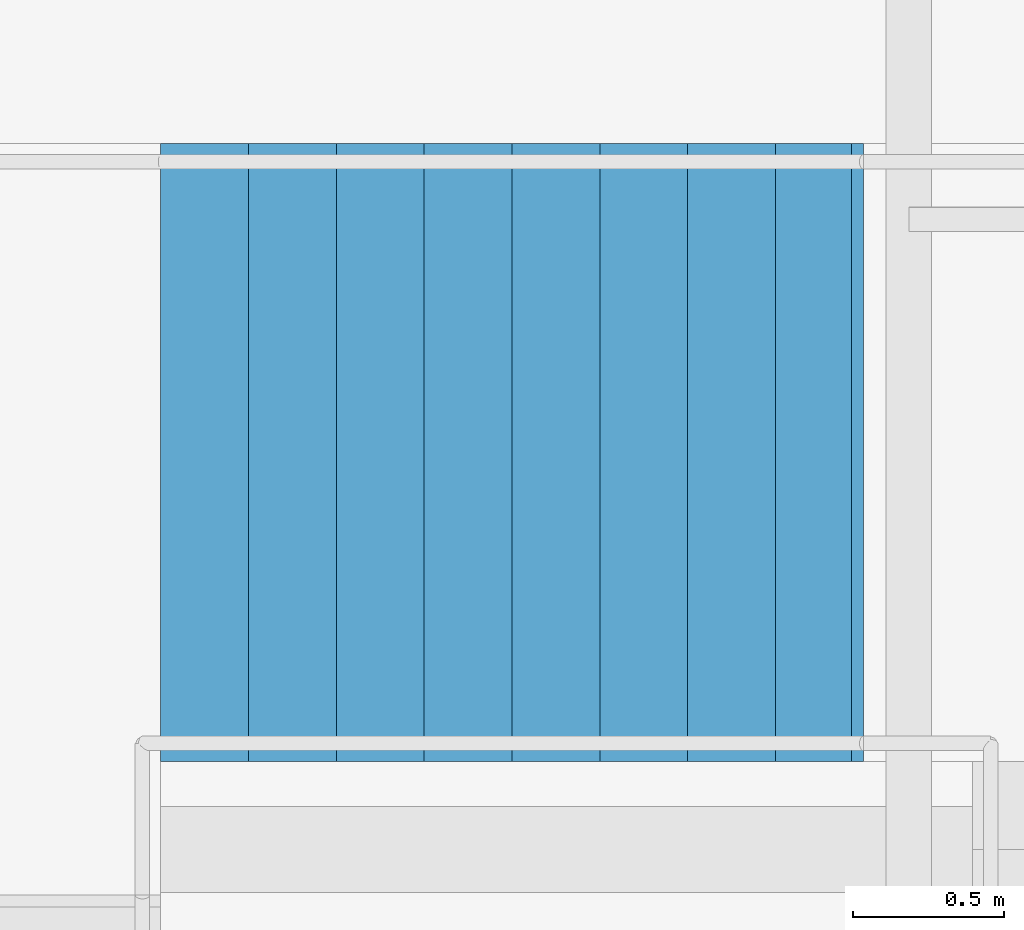
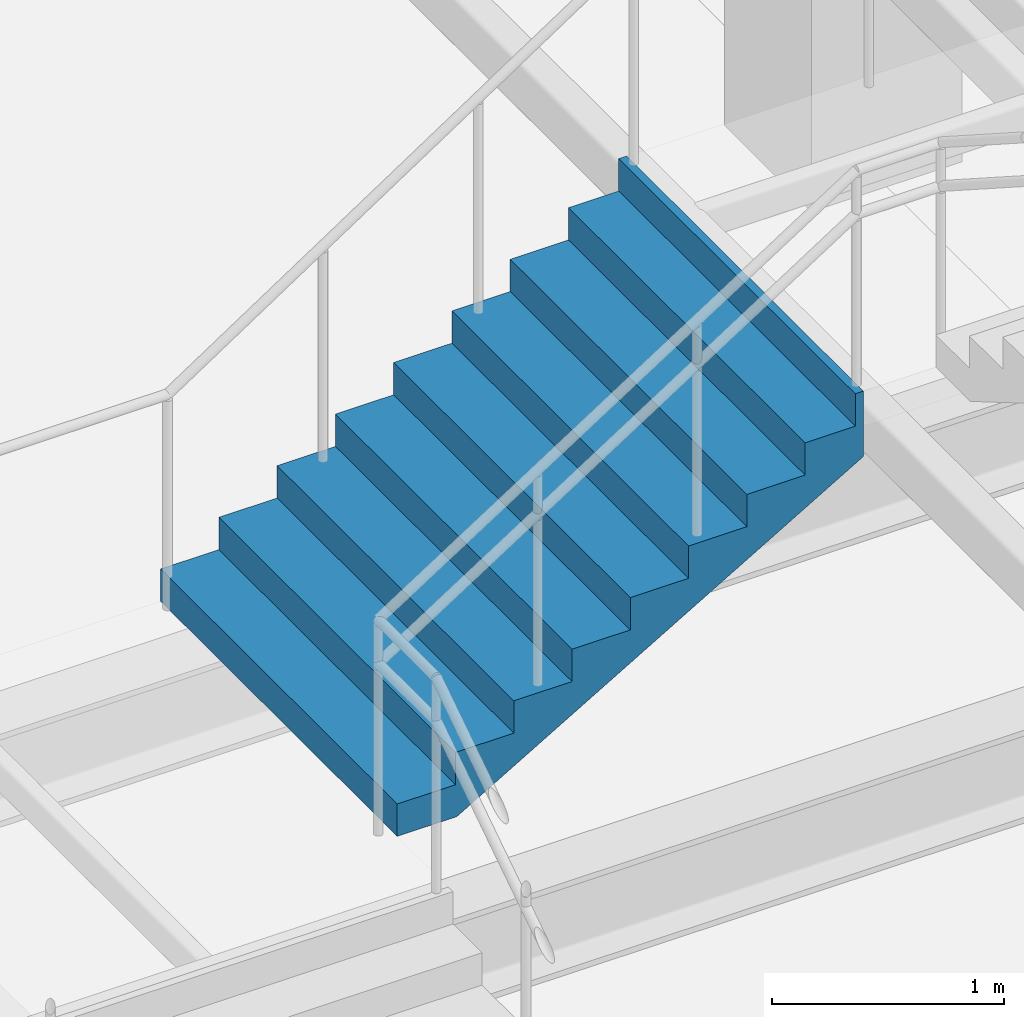
# One storey, part 49 of 55: 1 stair flight, 1 element without a shape of its own.
"""IFC4 building model written with IfcOpenShell, lengths in metres."""

from ifc_helpers import new_model, si_unit, direction, frame, origin, place, context, subcontext, project, spatial, triangles, material, type_object, element, aggregate, save


model = new_model("IFC4")

# Units and contexts
model_context = context("Model", 3, precision=1e-05, world=origin(), true_north=direction((0.0, 1.0)))
body_context = subcontext(model_context, "Body", "Model", "MODEL_VIEW")
ifc_project = project(units=[si_unit("LENGTHUNIT", "METRE"), si_unit("AREAUNIT", "SQUARE_METRE"), si_unit("VOLUMEUNIT", "CUBIC_METRE"), si_unit("PLANEANGLEUNIT", "RADIAN"), si_unit("MASSUNIT", "GRAM", prefix="KILO")], contexts=[model_context])

# Site, building, storey
site_placement = place(None, origin())
site = spatial("IfcSite", under=ifc_project, at=site_placement, CompositionType="ELEMENT")
building_placement = place(site_placement, origin())
building = spatial("IfcBuilding", under=site, at=building_placement, Name="Sillaruma Civic Art Gallery", CompositionType="ELEMENT")
storey_placement = place(building_placement, frame((0.0, 0.0, 37.739990234375)))
storey = spatial("IfcBuildingStorey", under=building, at=storey_placement, Name="L07", CompositionType="ELEMENT", Elevation=37.739990234375)

# Stair, stair flight
ifc_material = material(Name="Concrete H35 (35 MPa)", Category="concrete")
stair_type = type_object("IfcStairType", Name="STR-3F-27", PredefinedType="TWO_QUARTER_TURN_STAIR", material=ifc_material)
stair_placement = place(storey_placement, origin())
stair = element("IfcStair", 1, at=stair_placement, inside=storey, type_object=stair_type, Name="Monumental Gallery Feature Stair ST-G04 (L07)", PredefinedType="TWO_QUARTER_TURN_STAIR")
stair_flight_type = type_object("IfcStairFlightType", Name="SFL-STR-9", PredefinedType="STRAIGHT", material=ifc_material)
stair_flight_placement = place(storey_placement, frame((86.639892578125, 45.080078125, 1.530029296875), z_axis=(0.0, 0.0, 1.0), x_axis=(1.0, 0.0, 0.0)))
stair_flight = element("IfcStairFlight", 2, at=stair_flight_placement, type_object=stair_flight_type, Name="ST-G04 flight 2", NumberOfRisers=9, NumberOfTreads=8, PredefinedType="STRAIGHT", RiserHeight=0.17, TreadLength=0.29, context=body_context, shape_type="Tessellation", body=[
    triangles([(0.0, -1.02001953125, 0.0), (0.29, -1.02001953125, 0.0), (0.296482, -1.02001953125, 0.0), (0.58, -1.02001953125, 0.1662), (0.87, -1.02001953125, 0.3362), (1.16, -1.02001953125, 0.5062), (1.45, -1.02001953125, 0.6762), (1.74, -1.02001953125, 0.8462), (2.03, -1.02001953125, 1.0162), (2.280068, -1.02001953125, 1.162792), (2.320068, -1.02001953125, 1.18624), (2.320068, -1.02001953125, 1.53), (2.280068, -1.02001953125, 1.53), (2.280068, -1.02001953125, 1.36), (2.03, -1.02001953125, 1.36), (2.03, -1.02001953125, 1.19), (1.74, -1.02001953125, 1.19), (1.74, -1.02001953125, 1.02), (1.45, -1.02001953125, 1.02), (1.45, -1.02001953125, 0.85), (1.16, -1.02001953125, 0.85), (1.16, -1.02001953125, 0.68), (0.87, -1.02001953125, 0.68), (0.87, -1.02001953125, 0.51), (0.58, -1.02001953125, 0.51), (0.58, -1.02001953125, 0.34), (0.296482, -1.02001953125, 0.34), (0.29, -1.02001953125, 0.34), (0.29, -1.02001953125, 0.17), (0.0, -1.02001953125, 0.17), (0.0, -0.05, 0.0), (0.29, -0.05, 0.0), (0.296482, -0.05, 0.0), (0.58, -0.05, 0.1662), (0.87, -0.05, 0.3362), (1.16, -0.05, 0.5062), (1.45, -0.05, 0.6762), (1.74, -0.05, 0.8462), (2.03, -0.05, 1.0162), (2.280068, -0.05, 1.162792), (2.320068, -0.05, 1.18624), (2.320068, -0.05, 1.53), (2.280068, -0.05, 1.53), (2.280068, -0.05, 1.36), (2.03, -0.05, 1.36), (2.03, -0.05, 1.19), (1.74, -0.05, 1.19), (1.74, -0.05, 1.02), (1.45, -0.05, 1.02), (1.45, -0.05, 0.85), (1.16, -0.05, 0.85), (1.16, -0.05, 0.68), (0.87, -0.05, 0.68), (0.87, -0.05, 0.51), (0.58, -0.05, 0.51), (0.58, -0.05, 0.34), (0.296482, -0.05, 0.34), (0.29, -0.05, 0.34), (0.29, -0.05, 0.17), (0.0, -0.05, 0.17), (0.0, -0.0375, 0.0), (0.29, -0.0375, 0.0), (0.296482, -0.0375, 0.0), (0.58, -0.0375, 0.1662), (0.87, -0.0375, 0.3362), (1.16, -0.0375, 0.5062), (1.45, -0.0375, 0.6762), (1.74, -0.0375, 0.8462), (2.03, -0.0375, 1.0162), (2.280068, -0.0375, 1.162792), (2.320068, -0.0375, 1.18624), (2.320068, -0.0375, 1.53), (2.280068, -0.0375, 1.53), (2.280068, -0.0375, 1.36), (2.03, -0.0375, 1.36), (2.03, -0.0375, 1.19), (1.74, -0.0375, 1.19), (1.74, -0.0375, 1.02), (1.45, -0.0375, 1.02), (1.45, -0.0375, 0.85), (1.16, -0.0375, 0.85), (1.16, -0.0375, 0.68), (0.87, -0.0375, 0.68), (0.87, -0.0375, 0.51), (0.58, -0.0375, 0.51), (0.58, -0.0375, 0.34), (0.296482, -0.0375, 0.34), (0.29, -0.0375, 0.34), (0.29, -0.0375, 0.17), (0.0, -0.0375, 0.17), (0.0, -0.025, 0.0), (0.29, -0.025, 0.0), (0.296482, -0.025, 0.0), (0.58, -0.025, 0.1662), (0.87, -0.025, 0.3362), (1.16, -0.025, 0.5062), (1.45, -0.025, 0.6762), (1.74, -0.025, 0.8462), (2.03, -0.025, 1.0162), (2.280068, -0.025, 1.162792), (2.320068, -0.025, 1.18624), (2.320068, -0.025, 1.53), (2.280068, -0.025, 1.53), (2.280068, -0.025, 1.36), (2.03, -0.025, 1.36), (2.03, -0.025, 1.19), (1.74, -0.025, 1.19), (1.74, -0.025, 1.02), (1.45, -0.025, 1.02), (1.45, -0.025, 0.85), (1.16, -0.025, 0.85), (1.16, -0.025, 0.68), (0.87, -0.025, 0.68), (0.87, -0.025, 0.51), (0.58, -0.025, 0.51), (0.58, -0.025, 0.34), (0.296482, -0.025, 0.34), (0.29, -0.025, 0.34), (0.29, -0.025, 0.17), (0.0, -0.025, 0.17), (0.0, -0.0125, 0.0), (0.29, -0.0125, 0.0), (0.296482, -0.0125, 0.0), (0.58, -0.0125, 0.1662), (0.87, -0.0125, 0.3362), (1.16, -0.0125, 0.5062), (1.45, -0.0125, 0.6762), (1.74, -0.0125, 0.8462), (2.03, -0.0125, 1.0162), (2.280068, -0.0125, 1.162792), (2.320068, -0.0125, 1.18624), (2.320068, -0.0125, 1.53), (2.280068, -0.0125, 1.53), (2.280068, -0.0125, 1.36), (2.03, -0.0125, 1.36), (2.03, -0.0125, 1.19), (1.74, -0.0125, 1.19), (1.74, -0.0125, 1.02), (1.45, -0.0125, 1.02), (1.45, -0.0125, 0.85), (1.16, -0.0125, 0.85), (1.16, -0.0125, 0.68), (0.87, -0.0125, 0.68), (0.87, -0.0125, 0.51), (0.58, -0.0125, 0.51), (0.58, -0.0125, 0.34), (0.296482, -0.0125, 0.34), (0.29, -0.0125, 0.34), (0.29, -0.0125, 0.17), (0.0, -0.0125, 0.17), (0.0, 0.0, 0.0), (0.29, 0.0, 0.0), (0.296482, 0.0, 0.0), (0.58, 0.0, 0.1662), (0.87, 0.0, 0.3362), (1.16, 0.0, 0.5062), (1.45, 0.0, 0.6762), (1.74, 0.0, 0.8462), (2.03, 0.0, 1.0162), (2.280068, 0.0, 1.162792), (2.320068, 0.0, 1.18624), (2.320068, 0.0, 1.53), (2.280068, 0.0, 1.53), (2.280068, 0.0, 1.36), (2.03, 0.0, 1.36), (2.03, 0.0, 1.19), (1.74, 0.0, 1.19), (1.74, 0.0, 1.02), (1.45, 0.0, 1.02), (1.45, 0.0, 0.85), (1.16, 0.0, 0.85), (1.16, 0.0, 0.68), (0.87, 0.0, 0.68), (0.87, 0.0, 0.51), (0.58, 0.0, 0.51), (0.58, 0.0, 0.34), (0.296482, 0.0, 0.34), (0.29, 0.0, 0.34), (0.29, 0.0, 0.17), (0.0, 0.0, 0.17), (0.0, 0.0125, 0.0), (0.29, 0.0125, 0.0), (0.296482, 0.0125, 0.0), (0.58, 0.0125, 0.1662), (0.87, 0.0125, 0.3362), (1.16, 0.0125, 0.5062), (1.45, 0.0125, 0.6762), (1.74, 0.0125, 0.8462), (2.03, 0.0125, 1.0162), (2.280068, 0.0125, 1.162792), (2.320068, 0.0125, 1.18624), (2.320068, 0.0125, 1.53), (2.280068, 0.0125, 1.53), (2.280068, 0.0125, 1.36), (2.03, 0.0125, 1.36), (2.03, 0.0125, 1.19), (1.74, 0.0125, 1.19), (1.74, 0.0125, 1.02), (1.45, 0.0125, 1.02), (1.45, 0.0125, 0.85), (1.16, 0.0125, 0.85), (1.16, 0.0125, 0.68), (0.87, 0.0125, 0.68), (0.87, 0.0125, 0.51), (0.58, 0.0125, 0.51), (0.58, 0.0125, 0.34), (0.296482, 0.0125, 0.34), (0.29, 0.0125, 0.34), (0.29, 0.0125, 0.17), (0.0, 0.0125, 0.17), (0.0, 0.025, 0.0), (0.29, 0.025, 0.0), (0.296482, 0.025, 0.0), (0.58, 0.025, 0.1662), (0.87, 0.025, 0.3362), (1.16, 0.025, 0.5062), (1.45, 0.025, 0.6762), (1.74, 0.025, 0.8462), (2.03, 0.025, 1.0162), (2.280068, 0.025, 1.162792), (2.320068, 0.025, 1.18624), (2.320068, 0.025, 1.53), (2.280068, 0.025, 1.53), (2.280068, 0.025, 1.36), (2.03, 0.025, 1.36), (2.03, 0.025, 1.19), (1.74, 0.025, 1.19), (1.74, 0.025, 1.02), (1.45, 0.025, 1.02), (1.45, 0.025, 0.85), (1.16, 0.025, 0.85), (1.16, 0.025, 0.68), (0.87, 0.025, 0.68), (0.87, 0.025, 0.51), (0.58, 0.025, 0.51), (0.58, 0.025, 0.34), (0.296482, 0.025, 0.34), (0.29, 0.025, 0.34), (0.29, 0.025, 0.17), (0.0, 0.025, 0.17), (0.0, 0.0375, 0.0), (0.29, 0.0375, 0.0), (0.296482, 0.0375, 0.0), (0.58, 0.0375, 0.1662), (0.87, 0.0375, 0.3362), (1.16, 0.0375, 0.5062), (1.45, 0.0375, 0.6762), (1.74, 0.0375, 0.8462), (2.03, 0.0375, 1.0162), (2.280068, 0.0375, 1.162792), (2.320068, 0.0375, 1.18624), (2.320068, 0.0375, 1.53), (2.280068, 0.0375, 1.53), (2.280068, 0.0375, 1.36), (2.03, 0.0375, 1.36), (2.03, 0.0375, 1.19), (1.74, 0.0375, 1.19), (1.74, 0.0375, 1.02), (1.45, 0.0375, 1.02), (1.45, 0.0375, 0.85), (1.16, 0.0375, 0.85), (1.16, 0.0375, 0.68), (0.87, 0.0375, 0.68), (0.87, 0.0375, 0.51), (0.58, 0.0375, 0.51), (0.58, 0.0375, 0.34), (0.296482, 0.0375, 0.34), (0.29, 0.0375, 0.34), (0.29, 0.0375, 0.17), (0.0, 0.0375, 0.17), (0.0, 0.05, 0.0), (0.29, 0.05, 0.0), (0.296482, 0.05, 0.0), (0.58, 0.05, 0.1662), (0.87, 0.05, 0.3362), (1.16, 0.05, 0.5062), (1.45, 0.05, 0.6762), (1.74, 0.05, 0.8462), (2.03, 0.05, 1.0162), (2.280068, 0.05, 1.162792), (2.320068, 0.05, 1.18624), (2.320068, 0.05, 1.53), (2.280068, 0.05, 1.53), (2.280068, 0.05, 1.36), (2.03, 0.05, 1.36), (2.03, 0.05, 1.19), (1.74, 0.05, 1.19), (1.74, 0.05, 1.02), (1.45, 0.05, 1.02), (1.45, 0.05, 0.85), (1.16, 0.05, 0.85), (1.16, 0.05, 0.68), (0.87, 0.05, 0.68), (0.87, 0.05, 0.51), (0.58, 0.05, 0.51), (0.58, 0.05, 0.34), (0.296482, 0.05, 0.34), (0.29, 0.05, 0.34), (0.29, 0.05, 0.17), (0.0, 0.05, 0.17), (0.0, 1.02001953125, 0.0), (0.29, 1.02001953125, 0.0), (0.296482, 1.02001953125, 0.0), (0.58, 1.02001953125, 0.1662), (0.87, 1.02001953125, 0.3362), (1.16, 1.02001953125, 0.5062), (1.45, 1.02001953125, 0.6762), (1.74, 1.02001953125, 0.8462), (2.03, 1.02001953125, 1.0162), (2.280068, 1.02001953125, 1.162792), (2.320068, 1.02001953125, 1.18624), (2.320068, 1.02001953125, 1.53), (2.280068, 1.02001953125, 1.53), (2.280068, 1.02001953125, 1.36), (2.03, 1.02001953125, 1.36), (2.03, 1.02001953125, 1.19), (1.74, 1.02001953125, 1.19), (1.74, 1.02001953125, 1.02), (1.45, 1.02001953125, 1.02), (1.45, 1.02001953125, 0.85), (1.16, 1.02001953125, 0.85), (1.16, 1.02001953125, 0.68), (0.87, 1.02001953125, 0.68), (0.87, 1.02001953125, 0.51), (0.58, 1.02001953125, 0.51), (0.58, 1.02001953125, 0.34), (0.296482, 1.02001953125, 0.34), (0.29, 1.02001953125, 0.34), (0.29, 1.02001953125, 0.17), (0.0, 1.02001953125, 0.17)], [[1, 2, 29], [1, 29, 30], [2, 3, 27], [2, 27, 29], [29, 27, 28], [3, 4, 26], [3, 26, 27], [4, 5, 24], [4, 24, 26], [26, 24, 25], [5, 6, 22], [5, 22, 24], [24, 22, 23], [6, 7, 20], [6, 20, 22], [22, 20, 21], [7, 8, 18], [7, 18, 20], [20, 18, 19], [8, 9, 16], [8, 16, 18], [18, 16, 17], [9, 10, 14], [9, 14, 16], [16, 14, 15], [10, 11, 12], [10, 12, 14], [14, 12, 13], [329, 302, 301], [330, 329, 301], [327, 303, 302], [329, 327, 302], [328, 327, 329], [326, 304, 303], [327, 326, 303], [324, 305, 304], [326, 324, 304], [325, 324, 326], [322, 306, 305], [324, 322, 305], [323, 322, 324], [320, 307, 306], [322, 320, 306], [321, 320, 322], [318, 308, 307], [320, 318, 307], [319, 318, 320], [316, 309, 308], [318, 316, 308], [317, 316, 318], [314, 310, 309], [316, 314, 309], [315, 314, 316], [312, 311, 310], [314, 312, 310], [313, 312, 314], [2, 1, 31], [2, 31, 32], [3, 2, 32], [3, 32, 33], [4, 3, 33], [4, 33, 34], [5, 4, 34], [5, 34, 35], [6, 5, 35], [6, 35, 36], [7, 6, 36], [7, 36, 37], [8, 7, 37], [8, 37, 38], [9, 8, 38], [9, 38, 39], [10, 9, 39], [10, 39, 40], [11, 10, 40], [11, 40, 41], [12, 11, 41], [12, 41, 42], [13, 12, 42], [13, 42, 43], [14, 13, 43], [14, 43, 44], [15, 14, 44], [15, 44, 45], [16, 15, 45], [16, 45, 46], [17, 16, 46], [17, 46, 47], [18, 17, 47], [18, 47, 48], [19, 18, 48], [19, 48, 49], [20, 19, 49], [20, 49, 50], [21, 20, 50], [21, 50, 51], [22, 21, 51], [22, 51, 52], [23, 22, 52], [23, 52, 53], [24, 23, 53], [24, 53, 54], [25, 24, 54], [25, 54, 55], [26, 25, 55], [26, 55, 56], [27, 26, 56], [27, 56, 57], [28, 27, 57], [28, 57, 58], [29, 28, 58], [29, 58, 59], [30, 29, 59], [30, 59, 60], [1, 30, 60], [1, 60, 31], [32, 31, 61], [32, 61, 62], [33, 32, 62], [33, 62, 63], [34, 33, 63], [34, 63, 64], [35, 34, 64], [35, 64, 65], [36, 35, 65], [36, 65, 66], [37, 36, 66], [37, 66, 67], [38, 37, 67], [38, 67, 68], [39, 38, 68], [39, 68, 69], [40, 39, 69], [40, 69, 70], [41, 40, 70], [41, 70, 71], [42, 41, 71], [42, 71, 72], [43, 42, 72], [43, 72, 73], [44, 43, 73], [44, 73, 74], [45, 44, 74], [45, 74, 75], [46, 45, 75], [46, 75, 76], [47, 46, 76], [47, 76, 77], [48, 47, 77], [48, 77, 78], [49, 48, 78], [49, 78, 79], [50, 49, 79], [50, 79, 80], [51, 50, 80], [51, 80, 81], [52, 51, 81], [52, 81, 82], [53, 52, 82], [53, 82, 83], [54, 53, 83], [54, 83, 84], [55, 54, 84], [55, 84, 85], [56, 55, 85], [56, 85, 86], [57, 56, 86], [57, 86, 87], [58, 57, 87], [58, 87, 88], [59, 58, 88], [59, 88, 89], [60, 59, 89], [60, 89, 90], [31, 60, 90], [31, 90, 61], [62, 61, 91], [62, 91, 92], [63, 62, 92], [63, 92, 93], [64, 63, 93], [64, 93, 94], [65, 64, 94], [65, 94, 95], [66, 65, 95], [66, 95, 96], [67, 66, 96], [67, 96, 97], [68, 67, 97], [68, 97, 98], [69, 68, 98], [69, 98, 99], [70, 69, 99], [70, 99, 100], [71, 70, 100], [71, 100, 101], [72, 71, 101], [72, 101, 102], [73, 72, 102], [73, 102, 103], [74, 73, 103], [74, 103, 104], [75, 74, 104], [75, 104, 105], [76, 75, 105], [76, 105, 106], [77, 76, 106], [77, 106, 107], [78, 77, 107], [78, 107, 108], [79, 78, 108], [79, 108, 109], [80, 79, 109], [80, 109, 110], [81, 80, 110], [81, 110, 111], [82, 81, 111], [82, 111, 112], [83, 82, 112], [83, 112, 113], [84, 83, 113], [84, 113, 114], [85, 84, 114], [85, 114, 115], [86, 85, 115], [86, 115, 116], [87, 86, 116], [87, 116, 117], [88, 87, 117], [88, 117, 118], [89, 88, 118], [89, 118, 119], [90, 89, 119], [90, 119, 120], [61, 90, 120], [61, 120, 91], [92, 91, 121], [92, 121, 122], [93, 92, 122], [93, 122, 123], [94, 93, 123], [94, 123, 124], [95, 94, 124], [95, 124, 125], [96, 95, 125], [96, 125, 126], [97, 96, 126], [97, 126, 127], [98, 97, 127], [98, 127, 128], [99, 98, 128], [99, 128, 129], [100, 99, 129], [100, 129, 130], [101, 100, 130], [101, 130, 131], [102, 101, 131], [102, 131, 132], [103, 102, 132], [103, 132, 133], [104, 103, 133], [104, 133, 134], [105, 104, 134], [105, 134, 135], [106, 105, 135], [106, 135, 136], [107, 106, 136], [107, 136, 137], [108, 107, 137], [108, 137, 138], [109, 108, 138], [109, 138, 139], [110, 109, 139], [110, 139, 140], [111, 110, 140], [111, 140, 141], [112, 111, 141], [112, 141, 142], [113, 112, 142], [113, 142, 143], [114, 113, 143], [114, 143, 144], [115, 114, 144], [115, 144, 145], [116, 115, 145], [116, 145, 146], [117, 116, 146], [117, 146, 147], [118, 117, 147], [118, 147, 148], [119, 118, 148], [119, 148, 149], [120, 119, 149], [120, 149, 150], [91, 120, 150], [91, 150, 121], [122, 121, 151], [122, 151, 152], [123, 122, 152], [123, 152, 153], [124, 123, 153], [124, 153, 154], [125, 124, 154], [125, 154, 155], [126, 125, 155], [126, 155, 156], [127, 126, 156], [127, 156, 157], [128, 127, 157], [128, 157, 158], [129, 128, 158], [129, 158, 159], [130, 129, 159], [130, 159, 160], [131, 130, 160], [131, 160, 161], [132, 131, 161], [132, 161, 162], [133, 132, 162], [133, 162, 163], [134, 133, 163], [134, 163, 164], [135, 134, 164], [135, 164, 165], [136, 135, 165], [136, 165, 166], [137, 136, 166], [137, 166, 167], [138, 137, 167], [138, 167, 168], [139, 138, 168], [139, 168, 169], [140, 139, 169], [140, 169, 170], [141, 140, 170], [141, 170, 171], [142, 141, 171], [142, 171, 172], [143, 142, 172], [143, 172, 173], [144, 143, 173], [144, 173, 174], [145, 144, 174], [145, 174, 175], [146, 145, 175], [146, 175, 176], [147, 146, 176], [147, 176, 177], [148, 147, 177], [148, 177, 178], [149, 148, 178], [149, 178, 179], [150, 149, 179], [150, 179, 180], [121, 150, 180], [121, 180, 151], [152, 151, 181], [152, 181, 182], [153, 152, 182], [153, 182, 183], [154, 153, 183], [154, 183, 184], [155, 154, 184], [155, 184, 185], [156, 155, 185], [156, 185, 186], [157, 156, 186], [157, 186, 187], [158, 157, 187], [158, 187, 188], [159, 158, 188], [159, 188, 189], [160, 159, 189], [160, 189, 190], [161, 160, 190], [161, 190, 191], [162, 161, 191], [162, 191, 192], [163, 162, 192], [163, 192, 193], [164, 163, 193], [164, 193, 194], [165, 164, 194], [165, 194, 195], [166, 165, 195], [166, 195, 196], [167, 166, 196], [167, 196, 197], [168, 167, 197], [168, 197, 198], [169, 168, 198], [169, 198, 199], [170, 169, 199], [170, 199, 200], [171, 170, 200], [171, 200, 201], [172, 171, 201], [172, 201, 202], [173, 172, 202], [173, 202, 203], [174, 173, 203], [174, 203, 204], [175, 174, 204], [175, 204, 205], [176, 175, 205], [176, 205, 206], [177, 176, 206], [177, 206, 207], [178, 177, 207], [178, 207, 208], [179, 178, 208], [179, 208, 209], [180, 179, 209], [180, 209, 210], [151, 180, 210], [151, 210, 181], [182, 181, 211], [182, 211, 212], [183, 182, 212], [183, 212, 213], [184, 183, 213], [184, 213, 214], [185, 184, 214], [185, 214, 215], [186, 185, 215], [186, 215, 216], [187, 186, 216], [187, 216, 217], [188, 187, 217], [188, 217, 218], [189, 188, 218], [189, 218, 219], [190, 189, 219], [190, 219, 220], [191, 190, 220], [191, 220, 221], [192, 191, 221], [192, 221, 222], [193, 192, 222], [193, 222, 223], [194, 193, 223], [194, 223, 224], [195, 194, 224], [195, 224, 225], [196, 195, 225], [196, 225, 226], [197, 196, 226], [197, 226, 227], [198, 197, 227], [198, 227, 228], [199, 198, 228], [199, 228, 229], [200, 199, 229], [200, 229, 230], [201, 200, 230], [201, 230, 231], [202, 201, 231], [202, 231, 232], [203, 202, 232], [203, 232, 233], [204, 203, 233], [204, 233, 234], [205, 204, 234], [205, 234, 235], [206, 205, 235], [206, 235, 236], [207, 206, 236], [207, 236, 237], [208, 207, 237], [208, 237, 238], [209, 208, 238], [209, 238, 239], [210, 209, 239], [210, 239, 240], [181, 210, 240], [181, 240, 211], [212, 211, 241], [212, 241, 242], [213, 212, 242], [213, 242, 243], [214, 213, 243], [214, 243, 244], [215, 214, 244], [215, 244, 245], [216, 215, 245], [216, 245, 246], [217, 216, 246], [217, 246, 247], [218, 217, 247], [218, 247, 248], [219, 218, 248], [219, 248, 249], [220, 219, 249], [220, 249, 250], [221, 220, 250], [221, 250, 251], [222, 221, 251], [222, 251, 252], [223, 222, 252], [223, 252, 253], [224, 223, 253], [224, 253, 254], [225, 224, 254], [225, 254, 255], [226, 225, 255], [226, 255, 256], [227, 226, 256], [227, 256, 257], [228, 227, 257], [228, 257, 258], [229, 228, 258], [229, 258, 259], [230, 229, 259], [230, 259, 260], [231, 230, 260], [231, 260, 261], [232, 231, 261], [232, 261, 262], [233, 232, 262], [233, 262, 263], [234, 233, 263], [234, 263, 264], [235, 234, 264], [235, 264, 265], [236, 235, 265], [236, 265, 266], [237, 236, 266], [237, 266, 267], [238, 237, 267], [238, 267, 268], [239, 238, 268], [239, 268, 269], [240, 239, 269], [240, 269, 270], [211, 240, 270], [211, 270, 241], [242, 241, 271], [242, 271, 272], [243, 242, 272], [243, 272, 273], [244, 243, 273], [244, 273, 274], [245, 244, 274], [245, 274, 275], [246, 245, 275], [246, 275, 276], [247, 246, 276], [247, 276, 277], [248, 247, 277], [248, 277, 278], [249, 248, 278], [249, 278, 279], [250, 249, 279], [250, 279, 280], [251, 250, 280], [251, 280, 281], [252, 251, 281], [252, 281, 282], [253, 252, 282], [253, 282, 283], [254, 253, 283], [254, 283, 284], [255, 254, 284], [255, 284, 285], [256, 255, 285], [256, 285, 286], [257, 256, 286], [257, 286, 287], [258, 257, 287], [258, 287, 288], [259, 258, 288], [259, 288, 289], [260, 259, 289], [260, 289, 290], [261, 260, 290], [261, 290, 291], [262, 261, 291], [262, 291, 292], [263, 262, 292], [263, 292, 293], [264, 263, 293], [264, 293, 294], [265, 264, 294], [265, 294, 295], [266, 265, 295], [266, 295, 296], [267, 266, 296], [267, 296, 297], [268, 267, 297], [268, 297, 298], [269, 268, 298], [269, 298, 299], [270, 269, 299], [270, 299, 300], [241, 270, 300], [241, 300, 271], [272, 271, 301], [272, 301, 302], [273, 272, 302], [273, 302, 303], [274, 273, 303], [274, 303, 304], [275, 274, 304], [275, 304, 305], [276, 275, 305], [276, 305, 306], [277, 276, 306], [277, 306, 307], [278, 277, 307], [278, 307, 308], [279, 278, 308], [279, 308, 309], [280, 279, 309], [280, 309, 310], [281, 280, 310], [281, 310, 311], [282, 281, 311], [282, 311, 312], [283, 282, 312], [283, 312, 313], [284, 283, 313], [284, 313, 314], [285, 284, 314], [285, 314, 315], [286, 285, 315], [286, 315, 316], [287, 286, 316], [287, 316, 317], [288, 287, 317], [288, 317, 318], [289, 288, 318], [289, 318, 319], [290, 289, 319], [290, 319, 320], [291, 290, 320], [291, 320, 321], [292, 291, 321], [292, 321, 322], [293, 292, 322], [293, 322, 323], [294, 293, 323], [294, 323, 324], [295, 294, 324], [295, 324, 325], [296, 295, 325], [296, 325, 326], [297, 296, 326], [297, 326, 327], [298, 297, 327], [298, 327, 328], [299, 298, 328], [299, 328, 329], [300, 299, 329], [300, 329, 330], [271, 300, 330], [271, 330, 301]], closed=True),
])
aggregate(stair, [stair_flight])

save(model, "model.ifc")
